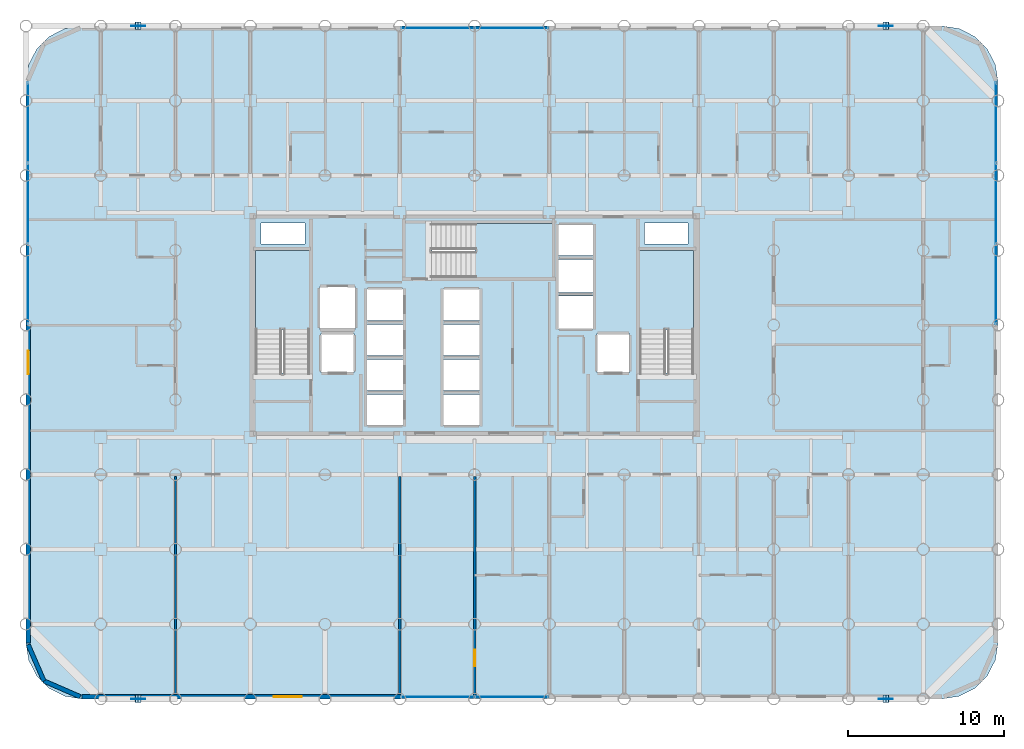
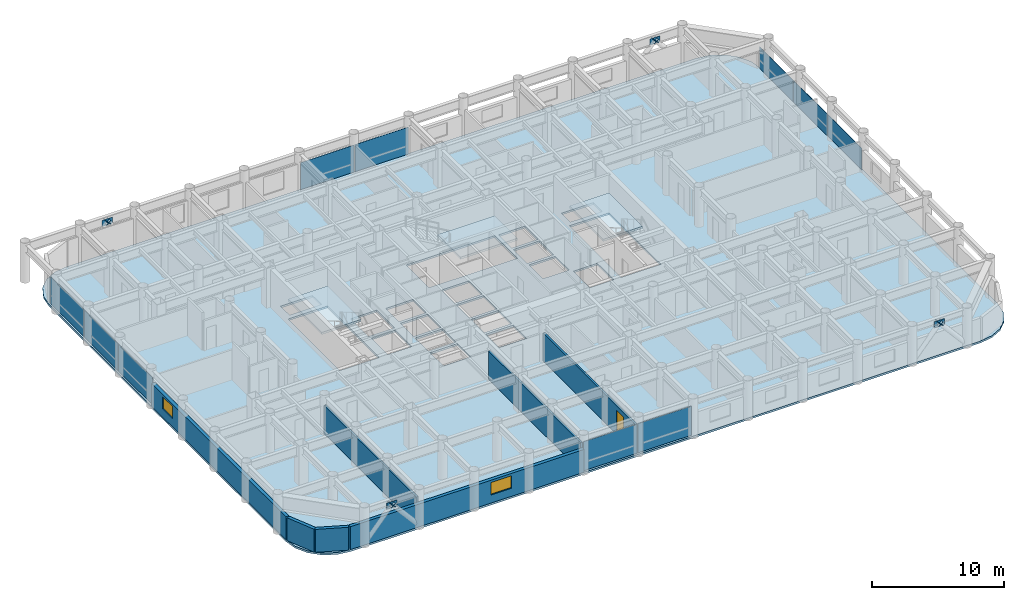
# One storey, part 14 of 20: 22 plates, 7 walls, 4 slabs, 2 windows, 1 door, 3 openings, 7 elements without a shape of their own.
"""IFC4 building model written with IfcOpenShell, lengths in metres."""

from ifc_helpers import new_model, si_unit, direction, frame, frame_2d, origin, origin_2d, place, context, subcontext, project, spatial, polyline, rectangle, outline, extrude, material, layer, layer_set, type_object, element, fill, aggregate, save


model = new_model("IFC4")

# Units and contexts
model_context = context("Model", 3, precision=1e-05, world=origin(), true_north=direction((0.0, 1.0)))
body_context = subcontext(model_context, "Body", "Model", "MODEL_VIEW")
ifc_project = project(units=[si_unit("LENGTHUNIT", "METRE"), si_unit("AREAUNIT", "SQUARE_METRE"), si_unit("VOLUMEUNIT", "CUBIC_METRE"), si_unit("PLANEANGLEUNIT", "RADIAN"), si_unit("MASSUNIT", "GRAM", prefix="KILO")], contexts=[model_context])

# Site, building, storey
site_placement = place(None, origin())
site = spatial("IfcSite", under=ifc_project, at=site_placement, CompositionType="ELEMENT")
building_placement = place(site_placement, origin())
building = spatial("IfcBuilding", under=site, at=building_placement, Name="Kallvorn Hotel Tower", CompositionType="ELEMENT")
storey_placement = place(building_placement, frame((0.0, 0.0, 74.39990234375)))
storey = spatial("IfcBuildingStorey", under=building, at=storey_placement, Name="L17", CompositionType="ELEMENT", Elevation=74.39990234375)

# Curtain wall, plates
ifc_material_1 = material(Name="Thermally broken black-anodised aluminium AA 6063-T6", Category="aluminium")
ifc_layer_1 = layer(ifc_material_1, 0.199951171875)
ifc_layer_set_1 = layer_set([ifc_layer_1], Name="CW_SYS_3_HOTEL_LOW")
curtain_wall_type = type_object("IfcCurtainWallType", Name="CW_SYS_3_HOTEL_LOW", PredefinedType="USERDEFINED", material=ifc_layer_set_1)
curtain_wall_1_placement = place(storey_placement, origin())
curtain_wall_1 = element("IfcCurtainWall", 1, at=curtain_wall_1_placement, inside=storey, type_object=curtain_wall_type, Name="L17 Dark-Glass Curtain Wall CW-L17-SC", ObjectType="UNITISED CURTAIN WALL", PredefinedType="USERDEFINED")
ifc_material_2 = material(Name="Double-glazed low-e solar-control dark glass", Category="glass")
ifc_layer_2 = layer(ifc_material_2, 0.035888671875)
ifc_layer_set_2 = layer_set([ifc_layer_2], Name="CW_SYS_3_HOTEL_LOW_PANEL")
plate_type_1 = type_object("IfcPlateType", Name="CW_SYS_3_HOTEL_LOW_PANEL", PredefinedType="CURTAIN_PANEL", material=ifc_layer_set_2)
plate_1_placement = place(storey_placement, frame((-2.375, -23.8798828125, 0.06005859375), z_axis=(0.0, 0.0, 1.0), x_axis=(1.0, 0.0, 0.0)))
plate_1 = element("IfcPlate", 2, at=plate_1_placement, type_object=plate_type_1, Name="CW-L17-SC Vision Glass Panel 00", PredefinedType="CURTAIN_PANEL", context=body_context, shape_type="SweptSolid", body=[
    extrude(rectangle(XDim=4.68994140625, YDim=0.035888671875, at=origin_2d()), origin(), (0.0, 0.0, 1.0), 2.699951171875),
])
plate_2_placement = place(storey_placement, frame((2.375, -23.8798828125, 0.06005859375), z_axis=(0.0, 0.0, 1.0), x_axis=(1.0, 0.0, 0.0)))
plate_2 = element("IfcPlate", 3, at=plate_2_placement, type_object=plate_type_1, Name="CW-L17-SC Vision Glass Panel 01", PredefinedType="CURTAIN_PANEL", context=body_context, shape_type="SweptSolid", body=[
    extrude(rectangle(XDim=4.68994140625, YDim=0.035888671875, at=origin_2d()), origin(), (0.0, 0.0, 1.0), 2.699951171875),
])
aggregate(curtain_wall_1, [plate_1, plate_2])

curtain_wall_2_placement = place(storey_placement, origin())
curtain_wall_2 = element("IfcCurtainWall", 4, at=curtain_wall_2_placement, inside=storey, type_object=curtain_wall_type, Name="L17 Dark-Glass Curtain Wall CW-L17-NC", ObjectType="UNITISED CURTAIN WALL", PredefinedType="USERDEFINED")
plate_3_placement = place(storey_placement, frame((-2.375, 19.080078125, 0.06005859375), z_axis=(0.0, 0.0, 1.0), x_axis=(1.0, 0.0, 0.0)))
plate_3 = element("IfcPlate", 5, at=plate_3_placement, type_object=plate_type_1, Name="CW-L17-NC Vision Glass Panel 00", PredefinedType="CURTAIN_PANEL", context=body_context, shape_type="SweptSolid", body=[
    extrude(rectangle(XDim=4.68994140625, YDim=0.035888671875, at=origin_2d()), origin(), (0.0, 0.0, 1.0), 2.5),
])
plate_4_placement = place(storey_placement, frame((2.375, 19.080078125, 0.06005859375), z_axis=(0.0, 0.0, 1.0), x_axis=(1.0, 0.0, 0.0)))
plate_4 = element("IfcPlate", 6, at=plate_4_placement, type_object=plate_type_1, Name="CW-L17-NC Vision Glass Panel 01", PredefinedType="CURTAIN_PANEL", context=body_context, shape_type="SweptSolid", body=[
    extrude(rectangle(XDim=4.68994140625, YDim=0.035888671875, at=origin_2d()), origin(), (0.0, 0.0, 1.0), 2.5),
])
aggregate(curtain_wall_2, [plate_3, plate_4])

curtain_wall_3_placement = place(storey_placement, origin())
curtain_wall_3 = element("IfcCurtainWall", 7, at=curtain_wall_3_placement, inside=storey, type_object=curtain_wall_type, Name="L17 Dark-Glass Curtain Wall CW-L17-WN", ObjectType="UNITISED CURTAIN WALL", PredefinedType="USERDEFINED")
plate_5_placement = place(storey_placement, frame((-28.679931640625, 2.61669921875, 0.06005859375), z_axis=(0.0, 0.0, 1.0), x_axis=(0.0, 1.0, 0.0)))
plate_5 = element("IfcPlate", 8, at=plate_5_placement, type_object=plate_type_1, Name="CW-L17-WN Vision Glass Panel 00", PredefinedType="CURTAIN_PANEL", context=body_context, shape_type="SweptSolid", body=[
    extrude(rectangle(XDim=5.13330078125, YDim=0.035888671875, at=origin_2d()), origin(), (0.0, 0.0, 1.0), 2.5),
])
plate_6_placement = place(storey_placement, frame((-28.679931640625, 7.81005859375, 0.06005859375), z_axis=(0.0, 0.0, 1.0), x_axis=(0.0, 1.0, 0.0)))
plate_6 = element("IfcPlate", 9, at=plate_6_placement, type_object=plate_type_1, Name="CW-L17-WN Vision Glass Panel 01", PredefinedType="CURTAIN_PANEL", context=body_context, shape_type="SweptSolid", body=[
    extrude(rectangle(XDim=5.13330078125, YDim=0.035888671875, at=origin_2d()), origin(), (0.0, 0.0, 1.0), 2.5),
])
plate_7_placement = place(storey_placement, frame((-28.679931640625, 13.00341796875, 0.06005859375), z_axis=(0.0, 0.0, 1.0), x_axis=(0.0, 1.0, 0.0)))
plate_7 = element("IfcPlate", 10, at=plate_7_placement, type_object=plate_type_1, Name="CW-L17-WN Vision Glass Panel 02", PredefinedType="CURTAIN_PANEL", context=body_context, shape_type="SweptSolid", body=[
    extrude(rectangle(XDim=5.13330078125, YDim=0.035888671875, at=origin_2d()), origin(), (0.0, 0.0, 1.0), 2.5),
])
aggregate(curtain_wall_3, [plate_5, plate_6, plate_7])

curtain_wall_4_placement = place(storey_placement, origin())
curtain_wall_4 = element("IfcCurtainWall", 11, at=curtain_wall_4_placement, inside=storey, type_object=curtain_wall_type, Name="L17 Dark-Glass Curtain Wall CW-L17-EN", ObjectType="UNITISED CURTAIN WALL", PredefinedType="USERDEFINED")
plate_8_placement = place(storey_placement, frame((33.47998046875, 2.61669921875, 0.06005859375), z_axis=(0.0, 0.0, 1.0), x_axis=(0.0, 1.0, 0.0)))
plate_8 = element("IfcPlate", 12, at=plate_8_placement, type_object=plate_type_1, Name="CW-L17-EN Vision Glass Panel 00", PredefinedType="CURTAIN_PANEL", context=body_context, shape_type="SweptSolid", body=[
    extrude(rectangle(XDim=5.13330078125, YDim=0.035888671875, at=origin_2d()), origin(), (0.0, 0.0, 1.0), 2.0),
])
plate_9_placement = place(storey_placement, frame((33.47998046875, 7.81005859375, 0.06005859375), z_axis=(0.0, 0.0, 1.0), x_axis=(0.0, 1.0, 0.0)))
plate_9 = element("IfcPlate", 13, at=plate_9_placement, type_object=plate_type_1, Name="CW-L17-EN Vision Glass Panel 01", PredefinedType="CURTAIN_PANEL", context=body_context, shape_type="SweptSolid", body=[
    extrude(rectangle(XDim=5.13330078125, YDim=0.035888671875, at=origin_2d()), origin(), (0.0, 0.0, 1.0), 2.0),
])
plate_10_placement = place(storey_placement, frame((33.47998046875, 13.00341796875, 0.06005859375), z_axis=(0.0, 0.0, 1.0), x_axis=(0.0, 1.0, 0.0)))
plate_10 = element("IfcPlate", 14, at=plate_10_placement, type_object=plate_type_1, Name="CW-L17-EN Vision Glass Panel 02", PredefinedType="CURTAIN_PANEL", context=body_context, shape_type="SweptSolid", body=[
    extrude(rectangle(XDim=5.13330078125, YDim=0.035888671875, at=origin_2d()), origin(), (0.0, 0.0, 1.0), 2.0),
])
aggregate(curtain_wall_4, [plate_8, plate_9, plate_10])

# Plates
ifc_material_3 = material(Name="Structural steel S355JR", Category="steel")
ifc_layer_3 = layer(ifc_material_3, 0.030029296875)
ifc_layer_set_3 = layer_set([ifc_layer_3], Name="PLT_CAP_30")
plate_type_2 = type_object("IfcPlateType", Name="PLT_CAP_30", PredefinedType="SHEET", material=ifc_layer_set_3)
for number, where, z_axis, x_axis, name in (
    (15, (-21.409423828125, -24.2431640625, 2.808837890625), (0.653515319717, 0.0, 0.756913288888), (0.0, 1.0, 0.0), "EXO-L17-S1A End Cap Plate B"),
    (16, (-21.79052734375, -23.7568359375, 2.808837890625), (-0.653515319717, 0.0, 0.756913288888), (0.0, -1.0, 0.0), "EXO-L17-S1B End Cap Plate B"),
    (17, (26.590576171875, -24.2431640625, 2.808837890625), (0.653515319717, 0.0, 0.756913288888), (0.0, 1.0, 0.0), "EXO-L17-S2A End Cap Plate B"),
    (18, (26.20947265625, -23.7568359375, 2.808837890625), (-0.653515319717, 0.0, 0.756913288888), (0.0, -1.0, 0.0), "EXO-L17-S2B End Cap Plate B"),
    (19, (-21.409423828125, 18.956787109375, 2.808837890625), (0.653515319717, 0.0, 0.756913288888), (0.0, 1.0, 0.0), "EXO-L17-N1A End Cap Plate B"),
    (20, (-21.79052734375, 19.443115234375, 2.808837890625), (-0.653515319717, 0.0, 0.756913288888), (0.0, -1.0, 0.0), "EXO-L17-N1B End Cap Plate B"),
    (21, (26.590576171875, 18.956787109375, 2.808837890625), (0.653515319717, 0.0, 0.756913288888), (0.0, 1.0, 0.0), "EXO-L17-N2A End Cap Plate B"),
    (22, (26.20947265625, 19.443115234375, 2.808837890625), (-0.653515319717, 0.0, 0.756913288888), (0.0, -1.0, 0.0), "EXO-L17-N2B End Cap Plate B"),
):
    element("IfcPlate", number, at=place(storey_placement, frame(where, z_axis=z_axis, x_axis=x_axis)), inside=storey, type_object=plate_type_2, Name=name, PredefinedType="SHEET", context=body_context, shape_type="SweptSolid", body=[
        extrude(outline(polyline([(0.0, 0.0), (0.486328125, 0.0), (0.486328125, 0.4864019008580509), (0.0, 0.4864019008580509), (0.0, 0.0)])), origin(), (0.0, 0.0, -1.0), 0.030029296875),
    ])
ifc_material_4 = material(Name="Structural steel S355JR", Category="steel")
ifc_layer_4 = layer(ifc_material_4, 0.044921875)
ifc_layer_set_4 = layer_set([ifc_layer_4], Name="PLT_GUSSET_45")
plate_type_3 = type_object("IfcPlateType", Name="PLT_GUSSET_45", PredefinedType="USERDEFINED", material=ifc_layer_set_4)
for number, where, z_axis, x_axis, name in (
    (23, (-21.60009765625, -24.0, 2.64013671875), (0.0, 0.0, 1.0), (1.0, 0.0, 0.0), "L17 Exoskeleton Node Gusset S1"),
    (24, (26.39990234375, -24.0, 2.64013671875), (0.0, 0.0, 1.0), (1.0, 0.0, 0.0), "L17 Exoskeleton Node Gusset S2"),
    (25, (-21.60009765625, 19.199951171875, 2.64013671875), (0.0, 0.0, 1.0), (1.0, 0.0, 0.0), "L17 Exoskeleton Node Gusset N1"),
    (26, (26.39990234375, 19.199951171875, 2.64013671875), (0.0, 0.0, 1.0), (1.0, 0.0, 0.0), "L17 Exoskeleton Node Gusset N2"),
):
    element("IfcPlate", number, at=place(storey_placement, frame(where, z_axis=z_axis, x_axis=x_axis)), inside=storey, type_object=plate_type_3, Name=name, ObjectType="GUSSET PLATE", PredefinedType="USERDEFINED", context=body_context, shape_type="SweptSolid", body=[
        extrude(rectangle(XDim=0.89990234375, YDim=0.044921875, at=origin_2d()), origin(), (0.0, 0.0, 1.0), 0.56005859375),
    ])

# Stair, slab
ifc_material_5 = material(Name="Precast concrete C40/50", Category="concrete")
stair_type = type_object("IfcStairType", Name="STR_CORE_DOGLEG", PredefinedType="HALF_TURN_STAIR", material=ifc_material_5)
stair_1_placement = place(storey_placement, origin())
stair_1 = element("IfcStair", 27, at=stair_1_placement, inside=storey, type_object=stair_type, Name="L17 Exit stair ST1", PredefinedType="HALF_TURN_STAIR")
ifc_material_6 = material(Name="Precast concrete C40/50", Category="concrete")
ifc_layer_5 = layer(ifc_material_6, 0.179931640625)
ifc_layer_set_5 = layer_set([ifc_layer_5], Name="SLB_LANDING_180")
slab_type_1 = type_object("IfcSlabType", Name="SLB_LANDING_180", PredefinedType="LANDING", material=ifc_layer_set_5)
slab_1_placement = place(storey_placement, frame((0.0, 0.0, 1.650146484375)))
slab_1 = element("IfcSlab", 28, at=slab_1_placement, type_object=slab_type_1, Name="ST1 landing 1", PredefinedType="LANDING", context=body_context, shape_type="SweptSolid", body=[
    extrude(outline(polyline([(-10.60009765625, -0.31005859375), (-10.60009765625, 4.800048828125), (-14.06005859375, 4.800048828125), (-14.06005859375, -0.31005859375), (-10.60009765625, -0.31005859375)])), origin(), (0.0, 0.0, 1.0), 0.199951171875),
])
aggregate(stair_1, [slab_1])

stair_2_placement = place(storey_placement, origin())
stair_2 = element("IfcStair", 29, at=stair_2_placement, inside=storey, type_object=stair_type, Name="L17 Exit stair ST2", PredefinedType="HALF_TURN_STAIR")
slab_2_placement = place(storey_placement, frame((0.0, 0.0, 1.650146484375)))
slab_2 = element("IfcSlab", 30, at=slab_2_placement, type_object=slab_type_1, Name="ST2 landing 1", PredefinedType="LANDING", context=body_context, shape_type="SweptSolid", body=[
    extrude(outline(polyline([(14.06005859375, -0.31005859375), (14.06005859375, 4.800048828125), (10.60009765625, 4.800048828125), (10.60009765625, -0.31005859375), (14.06005859375, -0.31005859375)])), origin(), (0.0, 0.0, 1.0), 0.199951171875),
])
aggregate(stair_2, [slab_2])

stair_3_placement = place(storey_placement, origin())
stair_3 = element("IfcStair", 31, at=stair_3_placement, inside=storey, type_object=stair_type, Name="L17 Exit stair ST3", PredefinedType="HALF_TURN_STAIR")
slab_3_placement = place(storey_placement, frame((0.0, 0.0, 1.650146484375)))
slab_3 = element("IfcSlab", 32, at=slab_3_placement, type_object=slab_type_1, Name="ST3 landing 1", PredefinedType="LANDING", context=body_context, shape_type="SweptSolid", body=[
    extrude(outline(polyline([(0.0400390625, 3.050048828125), (5.050048828125, 3.050048828125), (5.050048828125, 6.510009765625), (0.0400390625, 6.510009765625), (0.0400390625, 3.050048828125)])), origin(), (0.0, 0.0, 1.0), 0.199951171875),
])
aggregate(stair_3, [slab_3])

# Slab
ifc_material_7 = material(Name="Concrete C40/50", Category="concrete")
ifc_layer_6 = layer(ifc_material_7, 0.179931640625)
ifc_layer_set_6 = layer_set([ifc_layer_6], Name="SLB_TOWER_180")
slab_type_2 = type_object("IfcSlabType", Name="SLB_TOWER_180", PredefinedType="FLOOR", material=ifc_layer_set_6)
slab_4_placement = place(storey_placement, frame((0.0, 0.0, -0.179931640625)))
element("IfcSlab", 33, at=slab_4_placement, inside=storey, type_object=slab_type_2, Name="L17 Structural Floor Slab", PredefinedType="FLOOR", context=body_context, shape_type="SweptSolid", body=[
    extrude(outline(polyline([(30.0, -24.0), (31.112548828125, -23.82373046875), (32.115966796875, -23.3125), (32.91259765625, -22.51611328125), (33.423828125, -21.512451171875), (33.60009765625, -20.39990234375), (33.60009765625, 15.60009765625), (33.423828125, 16.71240234375), (32.91259765625, 17.716064453125), (32.115966796875, 18.512451171875), (31.112548828125, 19.023681640625), (30.0, 19.199951171875), (-25.199951171875, 19.199951171875), (-26.3125, 19.023681640625), (-27.31591796875, 18.512451171875), (-28.112548828125, 17.716064453125), (-28.623779296875, 16.71240234375), (-28.800048828125, 15.60009765625), (-28.800048828125, -20.39990234375), (-28.623779296875, -21.512451171875), (-28.112548828125, -22.51611328125), (-27.31591796875, -23.3125), (-26.3125, -23.82373046875), (-25.199951171875, -24.0), (30.0, -24.0)]), holes=[polyline([(-10.60009765625, -3.070068359375), (-10.60009765625, 4.800048828125), (-14.06005859375, 4.800048828125), (-14.06005859375, -3.070068359375), (-10.60009765625, -3.070068359375)]), polyline([(14.06005859375, -3.070068359375), (14.06005859375, 4.800048828125), (10.60009765625, 4.800048828125), (10.60009765625, -3.070068359375), (14.06005859375, -3.070068359375)]), polyline([(-2.719970703125, 3.050048828125), (5.050048828125, 3.050048828125), (5.050048828125, 6.510009765625), (-2.719970703125, 6.510009765625), (-2.719970703125, 3.050048828125)]), polyline([(-6.949951171875, -6.449951171875), (-4.550048828125, -6.449951171875), (-4.550048828125, -4.449951171875), (-6.949951171875, -4.449951171875), (-6.949951171875, -6.449951171875)]), polyline([(-6.949951171875, -4.199951171875), (-4.550048828125, -4.199951171875), (-4.550048828125, -2.199951171875), (-6.949951171875, -2.199951171875), (-6.949951171875, -4.199951171875)]), polyline([(-6.949951171875, -1.949951171875), (-4.550048828125, -1.949951171875), (-4.550048828125, 0.050048828125), (-6.949951171875, 0.050048828125), (-6.949951171875, -1.949951171875)]), polyline([(-6.949951171875, 0.300048828125), (-4.550048828125, 0.300048828125), (-4.550048828125, 2.300048828125), (-6.949951171875, 2.300048828125), (-6.949951171875, 0.300048828125)]), polyline([(-2.050048828125, -6.449951171875), (0.35009765625, -6.449951171875), (0.35009765625, -4.449951171875), (-2.050048828125, -4.449951171875), (-2.050048828125, -6.449951171875)]), polyline([(-2.050048828125, -4.199951171875), (0.35009765625, -4.199951171875), (0.35009765625, -2.199951171875), (-2.050048828125, -2.199951171875), (-2.050048828125, -4.199951171875)]), polyline([(-2.050048828125, -1.949951171875), (0.35009765625, -1.949951171875), (0.35009765625, 0.050048828125), (-2.050048828125, 0.050048828125), (-2.050048828125, -1.949951171875)]), polyline([(-2.050048828125, 0.300048828125), (0.35009765625, 0.300048828125), (0.35009765625, 2.300048828125), (-2.050048828125, 2.300048828125), (-2.050048828125, 0.300048828125)]), polyline([(5.35009765625, -0.25), (7.64990234375, -0.25), (7.64990234375, 1.85009765625), (5.35009765625, 1.85009765625), (5.35009765625, -0.25)]), polyline([(5.35009765625, 2.10009765625), (7.64990234375, 2.10009765625), (7.64990234375, 4.199951171875), (5.35009765625, 4.199951171875), (5.35009765625, 2.10009765625)]), polyline([(5.35009765625, 4.449951171875), (7.64990234375, 4.449951171875), (7.64990234375, 6.449951171875), (5.35009765625, 6.449951171875), (5.35009765625, 4.449951171875)]), polyline([(-9.85009765625, -3.050048828125), (-7.75, -3.050048828125), (-7.75, -0.550048828125), (-9.85009765625, -0.550048828125), (-9.85009765625, -3.050048828125)]), polyline([(7.85009765625, -3.050048828125), (9.949951171875, -3.050048828125), (9.949951171875, -0.550048828125), (7.85009765625, -0.550048828125), (7.85009765625, -3.050048828125)]), polyline([(-9.949951171875, -0.25), (-7.64990234375, -0.25), (-7.64990234375, 2.449951171875), (-9.949951171875, 2.449951171875), (-9.949951171875, -0.25)]), polyline([(-13.699951171875, 5.199951171875), (-10.89990234375, 5.199951171875), (-10.89990234375, 6.550048828125), (-13.699951171875, 6.550048828125), (-13.699951171875, 5.199951171875)]), polyline([(10.89990234375, 5.199951171875), (13.699951171875, 5.199951171875), (13.699951171875, 6.550048828125), (10.89990234375, 6.550048828125), (10.89990234375, 5.199951171875)])]), origin(), (0.0, 0.0, 1.0), 0.179931640625),
])

# Wall
ifc_material_8 = material(Name="Fire-rated double-layer acoustic gypsum drywall EI 60")
ifc_layer_7 = layer(ifc_material_8, 0.159912109375)
ifc_layer_set_7 = layer_set([ifc_layer_7], Name="WL_DEMISE_160")
wall_type_1 = type_object("IfcWallType", Name="WL_DEMISE_160", PredefinedType="PARTITIONING", material=ifc_layer_set_7)
wall_1_placement = place(storey_placement, frame((-4.800048828125, -23.7099609375, 0.0), z_axis=(0.0, 0.0, 1.0), x_axis=(0.0, 1.0, 0.0)))
element("IfcWall", 34, at=wall_1_placement, inside=storey, type_object=wall_type_1, Name="L17 Suite 1705 Executive Living Salon Partition", PredefinedType="PARTITIONING", context=body_context, shape_type="SweptSolid", body=[
    extrude(rectangle(XDim=13.989990234375, YDim=0.159912109375, at=frame_2d((6.9951171875, 0.0))), origin(), (0.0, 0.0, 1.0), 2.6201171875),
])

# Wall, opening, door
wall_2_placement = place(storey_placement, frame((0.0, -23.794921875, 0.0), z_axis=(0.0, 0.0, 1.0), x_axis=(0.0, 1.0, 0.0)))
wall_2 = element("IfcWall", 35, at=wall_2_placement, inside=storey, type_object=wall_type_1, Name="L17 Suite 1705 Executive Bedroom Partition", PredefinedType="PARTITIONING", context=body_context, shape_type="SweptSolid", body=[
    extrude(rectangle(XDim=14.074951171875, YDim=0.159912109375, at=frame_2d((7.03759765625, 0.0))), origin(), (0.0, 0.0, 1.0), 2.6201171875),
])
opening_1_placement = place(wall_2_placement, frame((1.88818359375, 0.0, 0.0)))
opening_1 = element("IfcOpeningElement", 36, at=opening_1_placement, cuts=wall_2, Name="Opening GD2", PredefinedType="OPENING", context=body_context, shape_type="SweptSolid", body=[
    extrude(rectangle(XDim=1.050048828125, YDim=2.199951171875, at=frame_2d((0.52490234375, 1.10009765625))), frame((0.0, 0.094970703125, 0.0), z_axis=(0.0, -1.0, 0.0), x_axis=(1.0, 0.0, 0.0)), (0.0, 0.0, 1.0), 0.18994140625),
])
ifc_material_9 = material(Name="Solid-core walnut veneer fire-rated timber door leaf", Category="wood")
door_type = type_object("IfcDoorType", Name="DR_SUITE_1050x2200", OperationType="NOTDEFINED", PredefinedType="DOOR", material=ifc_material_9)
door_placement = place(opening_1_placement, origin())
door = element("IfcDoor", 37, at=door_placement, inside=storey, type_object=door_type, Name="L17 Suite 1705 Executive Bedroom Door", OperationType="SINGLE_SWING_RIGHT", OverallHeight=2.199951171875, OverallWidth=1.050048828125, PredefinedType="DOOR", context=body_context, shape_type="SweptSolid", body=[
    extrude(rectangle(XDim=1.050048828125, YDim=2.199951171875, at=frame_2d((0.52490234375, 1.10009765625))), frame((0.0, 0.02490234375, 0.0), z_axis=(0.0, -1.0, 0.0), x_axis=(1.0, 0.0, 0.0)), (0.0, 0.0, 1.0), 0.050048828125),
])
fill(opening_1, door)

# Walls
ifc_material_10 = material(Name="Precast basalt-clad insulated concrete wall C40/50", Category="masonry")
ifc_layer_8 = layer(ifc_material_10, 0.280029296875)
ifc_layer_set_8 = layer_set([ifc_layer_8], Name="WL_EXT_LOGGIA_280")
wall_type_2 = type_object("IfcWallType", Name="WL_EXT_LOGGIA_280", PredefinedType="SOLIDWALL", material=ifc_layer_set_8)
wall_3_placement = place(storey_placement, frame((-28.657958984375, -20.520751953125, 0.0), z_axis=(0.0, 0.0, 1.0), x_axis=(0.398792985289, -0.917040977756, 0.0)))
element("IfcWall", 38, at=wall_3_placement, inside=storey, type_object=wall_type_2, Name="L17 Rounded Corner Exterior Wall SW1", PredefinedType="SOLIDWALL", context=body_context, shape_type="SweptSolid", body=[
    extrude(rectangle(XDim=2.536376953125, YDim=0.280029296875, at=frame_2d((1.26806640625, 0.0))), origin(), (0.0, 0.0, 1.0), 2.1201171875),
])
wall_4_placement = place(storey_placement, frame((-27.646484375, -22.8466796875, 0.0), z_axis=(0.0, 0.0, 1.0), x_axis=(0.917060872934, -0.398747232384, 0.0)))
element("IfcWall", 39, at=wall_4_placement, inside=storey, type_object=wall_type_2, Name="L17 Rounded Corner Exterior Wall SW2", PredefinedType="SOLIDWALL", context=body_context, shape_type="SweptSolid", body=[
    extrude(rectangle(XDim=2.5361328125, YDim=0.280029296875, at=frame_2d((1.26806640625, 0.0))), origin(), (0.0, 0.0, 1.0), 2.1201171875),
])

# Wall, opening, window
wall_5_placement = place(storey_placement, frame((-25.199951171875, -23.860107421875, 0.0), z_axis=(0.0, 0.0, 1.0), x_axis=(1.0, 0.0, 0.0)))
wall_5 = element("IfcWall", 40, at=wall_5_placement, inside=storey, type_object=wall_type_2, Name="L17 Exterior Envelope Wall EW-L17-SW", PredefinedType="SOLIDWALL", context=body_context, shape_type="SweptSolid", body=[
    extrude(rectangle(XDim=20.449951171875, YDim=0.280029296875, at=frame_2d((10.22509765625, 0.0))), origin(), (0.0, 0.0, 1.0), 2.1201171875),
])
opening_2_placement = place(wall_5_placement, frame((12.300048828125, 0.0, 0.75)))
opening_2 = element("IfcOpeningElement", 41, at=opening_2_placement, cuts=wall_5, Name="Opening W04A", PredefinedType="OPENING", context=body_context, shape_type="SweptSolid", body=[
    extrude(rectangle(XDim=1.800048828125, YDim=1.14990234375, at=frame_2d((0.89990234375, 0.574951171875))), frame((0.0, 0.155029296875, 0.0), z_axis=(0.0, -1.0, 0.0), x_axis=(1.0, 0.0, 0.0)), (0.0, 0.0, 1.0), 0.31005859375),
])
ifc_material_11 = material(Name="Double-glazed low-e solar-control dark glass", Category="glass")
window_type_1 = type_object("IfcWindowType", Name="WN_HTL_1800x1150", PartitioningType="SINGLE_PANEL", PredefinedType="WINDOW", material=ifc_material_11)
window_1_placement = place(opening_2_placement, origin())
window_1 = element("IfcWindow", 42, at=window_1_placement, inside=storey, type_object=window_type_1, Name="L17 Guestroom Exterior Window 03", OverallHeight=1.14990234375, OverallWidth=1.800048828125, PartitioningType="SINGLE_PANEL", PredefinedType="WINDOW", context=body_context, shape_type="SweptSolid", body=[
    extrude(rectangle(XDim=1.800048828125, YDim=1.14990234375, at=frame_2d((0.89990234375, 0.574951171875))), frame((0.0, 0.030029296875, 0.0), z_axis=(0.0, -1.0, 0.0), x_axis=(1.0, 0.0, 0.0)), (0.0, 0.0, 1.0), 0.06005859375),
])
fill(opening_2, window_1)

wall_6_placement = place(storey_placement, frame((-28.659912109375, -20.39990234375, 0.0), z_axis=(0.0, 0.0, 1.0), x_axis=(0.0, 1.0, 0.0)))
wall_6 = element("IfcWall", 43, at=wall_6_placement, inside=storey, type_object=wall_type_2, Name="L17 Exterior Envelope Wall EW-L17-WS", PredefinedType="SOLIDWALL", context=body_context, shape_type="SweptSolid", body=[
    extrude(rectangle(XDim=20.3798828125, YDim=0.280029296875, at=frame_2d((10.18994140625, 0.0))), origin(), (0.0, 0.0, 1.0), 2.1201171875),
])
opening_3_placement = place(wall_6_placement, frame((17.25, 0.0, 0.75)))
opening_3 = element("IfcOpeningElement", 44, at=opening_3_placement, cuts=wall_6, Name="Opening W05A", PredefinedType="OPENING", context=body_context, shape_type="SweptSolid", body=[
    extrude(rectangle(XDim=1.5, YDim=1.14990234375, at=frame_2d((0.75, 0.574951171875))), frame((0.0, 0.155029296875, 0.0), z_axis=(0.0, -1.0, 0.0), x_axis=(1.0, 0.0, 0.0)), (0.0, 0.0, 1.0), 0.31005859375),
])
ifc_material_12 = material(Name="Double-glazed low-e solar-control dark glass", Category="glass")
window_type_2 = type_object("IfcWindowType", Name="WN_HTL_1500x1150", PartitioningType="SINGLE_PANEL", PredefinedType="WINDOW", material=ifc_material_12)
window_2_placement = place(opening_3_placement, origin())
window_2 = element("IfcWindow", 45, at=window_2_placement, inside=storey, type_object=window_type_2, Name="L17 Flank Wing Window 01", OverallHeight=1.14990234375, OverallWidth=1.5, PartitioningType="SINGLE_PANEL", PredefinedType="WINDOW", context=body_context, shape_type="SweptSolid", body=[
    extrude(rectangle(XDim=1.5, YDim=1.14990234375, at=frame_2d((0.75, 0.574951171875))), frame((0.0, 0.030029296875, 0.0), z_axis=(0.0, -1.0, 0.0), x_axis=(1.0, 0.0, 0.0)), (0.0, 0.0, 1.0), 0.06005859375),
])
fill(opening_3, window_2)

# Wall
ifc_material_13 = material(Name="Fire-rated double-layer acoustic gypsum drywall EI 60")
ifc_layer_9 = layer(ifc_material_13, 0.14990234375)
ifc_layer_set_9 = layer_set([ifc_layer_9], Name="WL_PART_150")
wall_type_3 = type_object("IfcWallType", Name="WL_PART_150", PredefinedType="PARTITIONING", material=ifc_layer_set_9)
wall_7_placement = place(storey_placement, frame((-19.199951171875, -23.7099609375, 0.0), z_axis=(0.0, 0.0, 1.0), x_axis=(0.0, 1.0, 0.0)))
element("IfcWall", 46, at=wall_7_placement, inside=storey, type_object=wall_type_3, Name="L17 L17 Panoramic Club Sky Lounge 1 Partition", PredefinedType="PARTITIONING", context=body_context, shape_type="SweptSolid", body=[
    extrude(rectangle(XDim=13.989990234375, YDim=0.14990234375, at=frame_2d((6.9951171875, 0.0))), origin(), (0.0, 0.0, 1.0), 2.6201171875),
])

save(model, "model.ifc")
